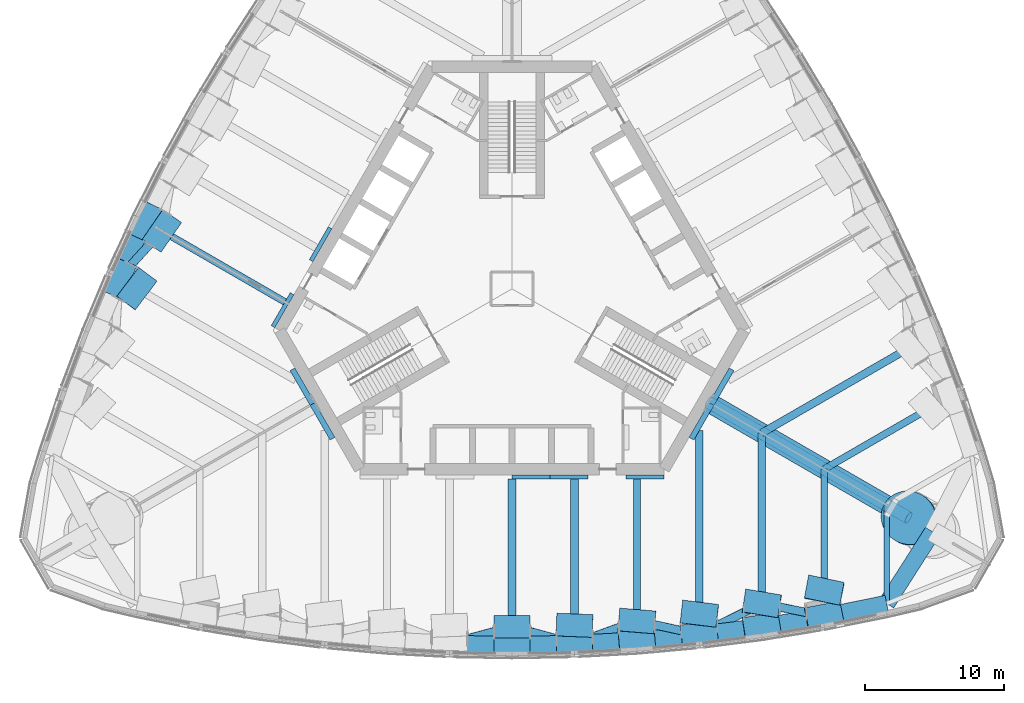
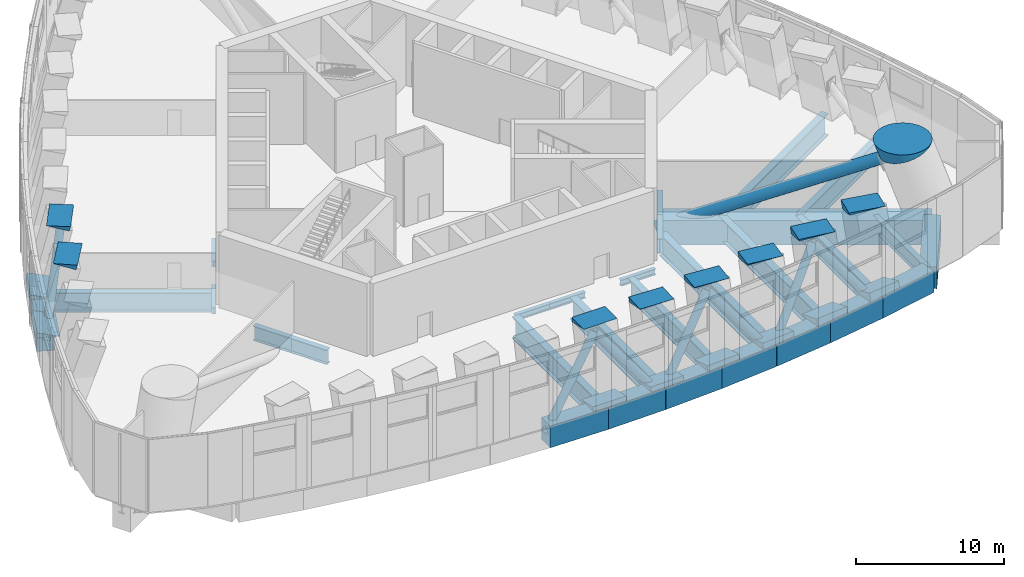
# One storey, part 3 of 25: 29 beams, 25 members.
"""IFC4 building model written with IfcOpenShell, lengths in metres."""

from ifc_helpers import new_model, si_unit, direction, frame, origin, origin_2d, place, context, subcontext, project, spatial, rectangle, circle, hollow_circle, i_section, extrude, clip, halfspace, material, material_profile, profile_set, type_object, element, save


model = new_model("IFC4")

# Units and contexts
model_context = context("Model", 3, precision=1e-05, world=origin(), true_north=direction((0.0, 1.0)))
body_context = subcontext(model_context, "Body", "Model", "MODEL_VIEW")
ifc_project = project(units=[si_unit("LENGTHUNIT", "METRE"), si_unit("AREAUNIT", "SQUARE_METRE"), si_unit("VOLUMEUNIT", "CUBIC_METRE"), si_unit("PLANEANGLEUNIT", "RADIAN"), si_unit("MASSUNIT", "GRAM", prefix="KILO")], contexts=[model_context])

# Site, building, storey
site_placement = place(None, origin())
site = spatial("IfcSite", under=ifc_project, at=site_placement, CompositionType="ELEMENT")
building_placement = place(site_placement, origin())
building = spatial("IfcBuilding", under=site, at=building_placement, Name="Trefoil Bronze Tower", CompositionType="ELEMENT")
storey_placement = place(building_placement, frame((0.0, 0.0, 178.699951171875)))
storey = spatial("IfcBuildingStorey", under=building, at=storey_placement, Name="L41", CompositionType="ELEMENT", Elevation=178.699951171875)

# Members
ifc_material_1 = material(Name="Steel C355", Category="steel")
ifc_material_profile_1 = material_profile(ifc_material_1, hollow_circle(Radius=0.304931640625, WallThickness=0.02490234375, at=origin_2d()), Name="CHS 610x25")
ifc_profile_set_1 = profile_set([ifc_material_profile_1], Name="Steel C355")
member_type_1 = type_object("IfcMemberType", Name="Belt truss diagonal CHS 610x25", PredefinedType="BRACE", material=ifc_profile_set_1)
for number, where, z_axis, x_axis, name in (
    (1, (-4.5, -25.568115234375, -1.14990234375), (0.589177521393, 0.159409087412, 0.792122838413), (-0.261171509531, 0.965292413007, 0.0), "Belt truss diagonal F1.5 L41"),
    (2, (4.5, -25.568115234375, -1.14990234375), (-0.589177521393, 0.159409087412, 0.792122838413), (-0.261171509531, -0.965292413007, 0.0), "Belt truss diagonal F1.6 L41"),
):
    element("IfcMember", number, at=place(storey_placement, frame(where, z_axis=z_axis, x_axis=x_axis)), inside=storey, type_object=member_type_1, Name=name, PredefinedType="BRACE", context=body_context, shape_type="SweptSolid", body=[
        extrude(hollow_circle(Radius=0.304931640625, WallThickness=0.02490234375, at=origin_2d()), origin(), (0.0, 0.0, 1.0), 7.6376953125),
    ])
member_1_placement = place(storey_placement, frame((4.5, -25.568115234375, -1.14990234375), z_axis=(0.583250315892, 0.21194719053, 0.784153975593), x_axis=(-0.341538346209, 0.939867840746, 0.0)))
element("IfcMember", 3, at=member_1_placement, inside=storey, type_object=member_type_1, Name="Belt truss diagonal F1.7 L41", PredefinedType="BRACE", context=body_context, shape_type="SweptSolid", body=[
    extrude(hollow_circle(Radius=0.304931640625, WallThickness=0.02490234375, at=origin_2d()), origin(), (0.0, 0.0, 1.0), 7.71533203125),
])
member_2_placement = place(storey_placement, frame((13.5, -24.9130859375, -1.14990234375), z_axis=(-0.59182902919, 0.128916750879, 0.795687672112), x_axis=(-0.212836772588, -0.977087768951, 0.0)))
element("IfcMember", 4, at=member_2_placement, inside=storey, type_object=member_type_1, Name="Belt truss diagonal F1.8 L41", PredefinedType="BRACE", context=body_context, shape_type="SweptSolid", body=[
    extrude(hollow_circle(Radius=0.304931640625, WallThickness=0.02490234375, at=origin_2d()), origin(), (0.0, 0.0, 1.0), 7.603515625),
])
member_3_placement = place(storey_placement, frame((13.5, -24.9130859375, -1.14990234375), z_axis=(0.572011652507, 0.285261019414, 0.769044095094), x_axis=(-0.446281172623, 0.894892795234, 0.0)))
element("IfcMember", 5, at=member_3_placement, inside=storey, type_object=member_type_1, Name="Belt truss diagonal F1.9 L41", PredefinedType="BRACE", context=body_context, shape_type="SweptSolid", body=[
    extrude(hollow_circle(Radius=0.304931640625, WallThickness=0.02490234375, at=origin_2d()), origin(), (0.0, 0.0, 1.0), 7.866943359375),
])
member_4_placement = place(storey_placement, frame((22.5, -23.592529296875, -1.14990234375), z_axis=(-0.592381733858, 0.121580951562, 0.796430758829), x_axis=(-0.20105006505, -0.979580967222, 0.0)))
element("IfcMember", 6, at=member_4_placement, inside=storey, type_object=member_type_1, Name="Belt truss diagonal F1.10 L41", PredefinedType="BRACE", context=body_context, shape_type="SweptSolid", body=[
    extrude(hollow_circle(Radius=0.304931640625, WallThickness=0.02490234375, at=origin_2d()), origin(), (0.0, 0.0, 1.0), 7.596435546875),
])
member_5_placement = place(storey_placement, frame((-28.325439453125, 0.76513671875, -1.14990234375), z_axis=(0.407551839369, 0.448104740426, 0.795678100638), x_axis=(-0.739788944049, 0.672838998768, 0.0)))
element("IfcMember", 7, at=member_5_placement, inside=storey, type_object=member_type_1, Name="Belt truss diagonal F3.8 L41", PredefinedType="BRACE", context=body_context, shape_type="SweptSolid", body=[
    extrude(hollow_circle(Radius=0.304931640625, WallThickness=0.02490234375, at=origin_2d()), origin(), (0.0, 0.0, 1.0), 7.603759765625),
])
ifc_material_2 = material(Name="Concrete B80", Category="concrete")
ifc_material_profile_2 = material_profile(ifc_material_2, rectangle(XDim=2.60009765625, YDim=1.60009765625, at=origin_2d()), Name="RC 2600x1600")
ifc_profile_set_2 = profile_set([ifc_material_profile_2], Name="Concrete B80")
member_type_2 = type_object("IfcMemberType", Name="Column node RC 2600x1600", PredefinedType="MEMBER", material=ifc_profile_set_2)
member_6_placement = place(storey_placement, frame((0.0, -25.6865234375, -0.170166015625), z_axis=(0.0, 0.211586043708, 0.977359374083), x_axis=(1.0, 0.0, 0.0)))
element("IfcMember", 8, at=member_6_placement, inside=storey, type_object=member_type_2, Name="Column node TC2616 L41 bottom", PredefinedType="MEMBER", context=body_context, shape_type="Clipping", body=[
    clip(extrude(rectangle(XDim=2.60009765625, YDim=1.60009765625, at=origin_2d()), origin(), (0.0, 0.0, 1.0), 0.348388671875), halfspace(frame((0.0, 0.0, 0.174072265625), z_axis=(2.591181711716054e-17, -0.2115860437082868, 0.9773593740829803), x_axis=(0.0, 0.9773593740829803, 0.2115860437082868)), True)),
])
member_7_placement = place(storey_placement, frame((0.0, -24.313720703125, 6.17041015625), z_axis=(0.0, -0.211586043708, -0.977359374083), x_axis=(-1.0, 0.0, 0.0)))
element("IfcMember", 9, at=member_7_placement, inside=storey, type_object=member_type_2, Name="Column node TC2616 L41 top", PredefinedType="MEMBER", context=body_context, shape_type="Clipping", body=[
    clip(extrude(rectangle(XDim=2.60009765625, YDim=1.60009765625, at=origin_2d()), origin(), (0.0, 0.0, 1.0), 0.348388671875), halfspace(frame((0.0, 0.0, 0.17431640625), z_axis=(-2.591181711716054e-17, 0.2115860437082868, 0.9773593740829803), x_axis=(0.0, 0.9773593740829803, -0.2115860437082868)), True)),
])
member_8_placement = place(storey_placement, frame((4.5, -25.608642578125, -0.18408203125), z_axis=(0.0, 0.215010033672, 0.976611839689), x_axis=(0.999197926162, 0.039107230105, -0.008609814585)))
element("IfcMember", 10, at=member_8_placement, inside=storey, type_object=member_type_2, Name="Column node TC2616 L41 bottom", PredefinedType="MEMBER", context=body_context, shape_type="Clipping", body=[
    clip(extrude(rectangle(XDim=2.60009765625, YDim=1.60009765625, at=origin_2d()), origin(), (0.0, 0.0, 1.0), 0.376953125), halfspace(frame((0.0, 0.0, 0.1884765625), z_axis=(-0.008609814585411333, -0.2148375797486362, 0.976611839688908), x_axis=(0.0, 0.9766480392857128, 0.21484554302887648)), True)),
])
member_9_placement = place(storey_placement, frame((4.5, -24.205810546875, 6.18408203125), z_axis=(0.0, -0.215010033672, -0.976611839689), x_axis=(-0.999197926162, 0.039107230105, -0.008609814585)))
element("IfcMember", 11, at=member_9_placement, inside=storey, type_object=member_type_2, Name="Column node TC2616 L41 top", PredefinedType="MEMBER", context=body_context, shape_type="Clipping", body=[
    clip(extrude(rectangle(XDim=2.60009765625, YDim=1.60009765625, at=origin_2d()), origin(), (0.0, 0.0, 1.0), 0.376953125), halfspace(frame((0.0, 0.0, 0.1884765625), z_axis=(0.008609814585411333, 0.2148375797486362, 0.976611839688908), x_axis=(0.0, 0.9766480392857128, -0.21484554302887648)), True)),
])
member_10_placement = place(storey_placement, frame((9.0, -25.3701171875, -0.204345703125), z_axis=(0.0, 0.225794437471, 0.974174969914), x_axis=(0.996802417322, 0.077842254372, -0.018042290739)))
element("IfcMember", 12, at=member_10_placement, inside=storey, type_object=member_type_2, Name="Column node TC2616 L41 bottom", PredefinedType="MEMBER", context=body_context, shape_type="Clipping", body=[
    clip(extrude(rectangle(XDim=2.60009765625, YDim=1.60009765625, at=origin_2d()), origin(), (0.0, 0.0, 1.0), 0.41943359375), halfspace(frame((0.0, 0.0, 0.209716796875), z_axis=(-0.01804229073864446, -0.22507244108909455, 0.9741749699140798), x_axis=(0.0, 0.9743335674263411, 0.225109083304649)), True)),
])
member_11_placement = place(storey_placement, frame((9.0, -23.8857421875, 6.204345703125), z_axis=(0.0, -0.225242053608, -0.974302836538), x_axis=(-0.996802417322, 0.07785247166, -0.017998152051)))
element("IfcMember", 13, at=member_11_placement, inside=storey, type_object=member_type_2, Name="Column node TC2616 L41 top", PredefinedType="MEMBER", context=body_context, shape_type="Clipping", body=[
    clip(extrude(rectangle(XDim=2.60009765625, YDim=1.60009765625, at=origin_2d()), origin(), (0.0, 0.0, 1.0), 0.41943359375), halfspace(frame((0.0, 0.0, 0.209716796875), z_axis=(0.017998152050533768, 0.22452182351932745, 0.974302836538169), x_axis=(0.0, 0.974460679540038, -0.2245581974241139)), True)),
])
member_12_placement = place(storey_placement, frame((13.5, -24.97119140625, -0.23193359375), z_axis=(0.0, 0.243016101667, 0.970022254554), x_axis=(0.99284889025, 0.115799212068, -0.029010749971)))
element("IfcMember", 14, at=member_12_placement, inside=storey, type_object=member_type_2, Name="Column node TC2616 L41 bottom", PredefinedType="MEMBER", context=body_context, shape_type="Clipping", body=[
    clip(extrude(rectangle(XDim=2.60009765625, YDim=1.60009765625, at=origin_2d()), origin(), (0.0, 0.0, 1.0), 0.478271484375), halfspace(frame((0.0, 0.0, 0.2392578125), z_axis=(-0.029010749970759156, -0.24127826685321133, 0.9700222545542162), x_axis=(0.0, 0.9704307092138256, 0.24137986373090767)), True)),
])
member_13_placement = place(storey_placement, frame((13.5, -23.35009765625, 6.23193359375), z_axis=(0.0, -0.243496399495, -0.969901800923), x_axis=(-0.99284889025, 0.115784832568, -0.029068086913)))
element("IfcMember", 15, at=member_13_placement, inside=storey, type_object=member_type_2, Name="Column node TC2616 L41 top", PredefinedType="MEMBER", context=body_context, shape_type="Clipping", body=[
    clip(extrude(rectangle(XDim=2.60009765625, YDim=1.60009765625, at=origin_2d()), origin(), (0.0, 0.0, 1.0), 0.478271484375), halfspace(frame((0.0, 0.0, 0.239013671875), z_axis=(0.029068086913004887, 0.24175513001826762, 0.9699018009226854), x_axis=(0.0, 0.9703118218238935, -0.24185733073197646)), True)),
])
member_14_placement = place(storey_placement, frame((18.0, -24.41162109375, -0.267578125), z_axis=(0.0, 0.268097190299, 0.963391870712), x_axis=(0.987407007975, 0.152409082956, -0.042413111589)))
element("IfcMember", 16, at=member_14_placement, inside=storey, type_object=member_type_2, Name="Column node TC2616 L41 bottom", PredefinedType="MEMBER", context=body_context, shape_type="Clipping", body=[
    clip(extrude(rectangle(XDim=2.60009765625, YDim=1.60009765625, at=origin_2d()), origin(), (0.0, 0.0, 1.0), 0.555419921875), halfspace(frame((0.0, 0.0, 0.27783203125), z_axis=(-0.04241311158895072, -0.26472104451913364, 0.963391870712039), x_axis=(0.0, 0.9642595508691791, 0.26495946587651636)), True)),
])
member_15_placement = place(storey_placement, frame((18.0, -22.5947265625, 6.267578125), z_axis=(0.0, -0.267689204442, -0.963505313854), x_axis=(-0.987407007975, 0.152427029718, -0.042348568019)))
element("IfcMember", 17, at=member_15_placement, inside=storey, type_object=member_type_2, Name="Column node TC2616 L41 top", PredefinedType="MEMBER", context=body_context, shape_type="Clipping", body=[
    clip(extrude(rectangle(XDim=2.60009765625, YDim=1.60009765625, at=origin_2d()), origin(), (0.0, 0.0, 1.0), 0.555419921875), halfspace(frame((0.0, 0.0, 0.277587890625), z_axis=(0.04234856801938169, 0.2643181964253909, 0.9635053138541253), x_axis=(0.0, 0.9643704534844768, -0.26455552998594584)), True)),
])
member_16_placement = place(storey_placement, frame((22.5, -23.6904296875, -0.3115234375), z_axis=(0.0, 0.299466874976, 0.954106697803), x_axis=(0.980854125041, 0.185806456414, -0.058319346233)))
element("IfcMember", 18, at=member_16_placement, inside=storey, type_object=member_type_2, Name="Column node TC2616 L41 bottom", PredefinedType="MEMBER", context=body_context, shape_type="Clipping", body=[
    clip(extrude(rectangle(XDim=2.60009765625, YDim=1.60009765625, at=origin_2d()), origin(), (0.0, 0.0, 1.0), 0.653076171875), halfspace(frame((0.0, 0.0, 0.32666015625), z_axis=(-0.05831934623347565, -0.2937333196337488, 0.9541066978026294), x_axis=(0.0, 0.9557333765684847, 0.2942341124224095)), True)),
])
member_17_placement = place(storey_placement, frame((22.5, -21.61279296875, 6.3115234375), z_axis=(0.0, -0.299466874976, -0.954106697803), x_axis=(-0.980854125041, 0.185806456414, -0.058319346233)))
element("IfcMember", 19, at=member_17_placement, inside=storey, type_object=member_type_2, Name="Column node TC2616 L41 top", PredefinedType="MEMBER", context=body_context, shape_type="Clipping", body=[
    clip(extrude(rectangle(XDim=2.60009765625, YDim=1.60009765625, at=origin_2d()), origin(), (0.0, 0.0, 1.0), 0.653076171875), halfspace(frame((0.0, 0.0, 0.326416015625), z_axis=(0.05831934623347565, 0.2937333196337488, 0.9541066978026294), x_axis=(0.0, 0.9557333765684847, -0.2942341124224095)), True)),
])
member_18_placement = place(storey_placement, frame((-26.47119140625, 4.890869140625, -0.204345703125), z_axis=(0.195533724611, -0.112897448138, 0.974176949401), x_axis=(-0.431008462777, -0.902167504061, -0.0180416083)))
element("IfcMember", 20, at=member_18_placement, inside=storey, type_object=member_type_2, Name="Column node TC2616 L41 bottom", PredefinedType="MEMBER", context=body_context, shape_type="Clipping", body=[
    clip(extrude(rectangle(XDim=2.60009765625, YDim=1.60009765625, at=origin_2d()), origin(), (0.0, 0.0, 1.0), 0.41943359375), halfspace(frame((0.0, 0.0, 0.209716796875), z_axis=(-0.018041608300351265, -0.22506392786564816, 0.9741769494006841), x_axis=(0.0, 0.9743355352347802, 0.22510056592277677)), True)),
])
member_19_placement = place(storey_placement, frame((-25.185546875, 4.148681640625, 6.204345703125), z_axis=(-0.195533724611, 0.112897448138, -0.974176949401), x_axis=(0.565833684937, 0.824321988886, -0.0180416083)))
element("IfcMember", 21, at=member_19_placement, inside=storey, type_object=member_type_2, Name="Column node TC2616 L41 top", PredefinedType="MEMBER", context=body_context, shape_type="Clipping", body=[
    clip(extrude(rectangle(XDim=2.60009765625, YDim=1.60009765625, at=origin_2d()), origin(), (0.0, 0.0, 1.0), 0.41943359375), halfspace(frame((0.0, 0.0, 0.209716796875), z_axis=(0.018041608300351265, 0.22506392786564816, 0.9741769494006841), x_axis=(0.0, 0.9743355352347802, -0.22510056592277677)), True)),
])
member_20_placement = place(storey_placement, frame((-28.375732421875, 0.794189453125, -0.23193359375), z_axis=(0.210834703777, -0.121497964888, 0.969941736503), x_axis=(-0.395404505556, -0.918047617133, -0.02904909057)))
element("IfcMember", 22, at=member_20_placement, inside=storey, type_object=member_type_2, Name="Column node TC2616 L41 bottom", PredefinedType="MEMBER", context=body_context, shape_type="Clipping", body=[
    clip(extrude(rectangle(XDim=2.60009765625, YDim=1.60009765625, at=origin_2d()), origin(), (0.0, 0.0, 1.0), 0.478271484375), halfspace(frame((0.0, 0.0, 0.2392578125), z_axis=(-0.029049090569892723, -0.2415971401439186, 0.9699417365034572), x_axis=(0.0, 0.9703512381937962, 0.2416991405358459)), True)),
])
member_21_placement = place(storey_placement, frame((-26.971923828125, -0.016357421875, 6.23193359375), z_axis=(-0.210333746012, 0.122013993439, -0.969985721902), x_axis=(0.598354575342, 0.800705419319, -0.029028152539)))
element("IfcMember", 23, at=member_21_placement, inside=storey, type_object=member_type_2, Name="Column node TC2616 L41 top", PredefinedType="MEMBER", context=body_context, shape_type="Clipping", body=[
    clip(extrude(rectangle(XDim=2.60009765625, YDim=1.60009765625, at=origin_2d()), origin(), (0.0, 0.0, 1.0), 0.478271484375), halfspace(frame((0.0, 0.0, 0.239013671875), z_axis=(0.029028152538825135, 0.24142300152797802, 0.9699857219018251), x_axis=(0.0, 0.9703946516531617, -0.24152478142612768)), True)),
])
ifc_material_3 = material(Name="Concrete B80", Category="concrete")
ifc_material_profile_3 = material_profile(ifc_material_3, circle(Radius=1.89990234375, at=origin_2d()), Name="RC D3800")
ifc_profile_set_3 = profile_set([ifc_material_profile_3], Name="Concrete B80")
member_type_3 = type_object("IfcMemberType", Name="Column node RC D3800", PredefinedType="MEMBER", material=ifc_profile_set_3)
member_22_placement = place(storey_placement, frame((28.405029296875, -16.399658203125, 6.601806640625), z_axis=(0.273828523249, -0.158177825798, -0.948682093897), x_axis=(0.500196490846, 0.865911930017, 0.0)))
element("IfcMember", 24, at=member_22_placement, inside=storey, type_object=member_type_3, Name="Column node MC38 L41 top", PredefinedType="MEMBER", context=body_context, shape_type="Clipping", body=[
    clip(extrude(circle(Radius=1.89990234375, at=origin_2d()), origin(), (0.0, 0.0, 1.0), 1.268798828125), halfspace(frame((0.0, 0.0, 0.63427734375), z_axis=(0.0, -0.31623137845362453, 0.9486820938972763), x_axis=(0.0, 0.9486820938972763, 0.31623137845362453)), True)),
])

# Beams
ifc_material_4 = material(Name="Steel C355", Category="steel")
ifc_material_profile_4 = material_profile(ifc_material_4, i_section(OverallWidth=0.300048828125, OverallDepth=0.5, WebThickness=0.014404296875, FlangeThickness=0.028076171875, FilletRadius=0.027099609375, at=origin_2d()), Name="HEB 500")
ifc_profile_set_4 = profile_set([ifc_material_profile_4], Name="Steel C355")
beam_type_1 = type_object("IfcBeamType", Name="Core seat beam HEB 500", PredefinedType="BEAM", material=ifc_profile_set_4)
for number, where, z_axis, x_axis, name in (
    (25, (0.0, -13.550048828125, -0.5), (1.0, 0.0, 0.0), (0.0, 1.0, 0.0), "Core seat beam F1/+0 L41"),
    (26, (2.742431640625, -13.550048828125, -0.5), (1.0, 0.0, 0.0), (0.0, 1.0, 0.0), "Core seat beam F1/+1 L41"),
    (27, (8.227294921875, -13.550048828125, -0.5), (1.0, 0.0, 0.0), (0.0, 1.0, 0.0), "Core seat beam F1/+2 L41"),
    (28, (-13.10595703125, 4.39990234375, -0.5), (-0.499969057507, -0.866043267704, 0.0), (0.866043267704, -0.499969057507, 0.0), "Core seat beam F3/+1 L41"),
    (29, (-15.84814453125, -0.35009765625, -0.5), (-0.500035825175, -0.866004719122, 0.0), (0.866004719122, -0.500035825175, 0.0), "Core seat beam F3/+2 L41"),
):
    element("IfcBeam", number, at=place(storey_placement, frame(where, z_axis=z_axis, x_axis=x_axis)), inside=storey, type_object=beam_type_1, Name=name, PredefinedType="BEAM", context=body_context, shape_type="SweptSolid", body=[
        extrude(i_section(OverallWidth=0.300048828125, OverallDepth=0.5, WebThickness=0.014404296875, FlangeThickness=0.028076171875, FilletRadius=0.027099609375, at=origin_2d()), origin(), (0.0, 0.0, 1.0), 2.742431640625),
    ])
ifc_material_5 = material(Name="Steel C355", Category="steel")
ifc_material_profile_5 = material_profile(ifc_material_5, i_section(OverallWidth=0.39990234375, OverallDepth=1.199951171875, WebThickness=0.02001953125, FlangeThickness=0.0400390625, FilletRadius=0.010009765625, at=origin_2d()), Name="WPG 1200")
ifc_profile_set_5 = profile_set([ifc_material_profile_5], Name="Steel C355")
beam_type_2 = type_object("IfcBeamType", Name="Core seat beam WPG 1200", PredefinedType="BEAM", material=ifc_profile_set_5)
for number, where, z_axis, x_axis, name in (
    (30, (-14.3759765625, -8.300048828125, -0.849853515625), (0.499995765644, -0.866027848477, 0.0), (0.866027848477, 0.499995765644, 0.0), "Core seat beam F1/-3 L41"),
    (31, (12.9326171875, -10.800048828125, -0.849853515625), (0.499995765644, 0.866027848477, 0.0), (-0.866027848477, 0.499995765644, 0.0), "Core seat beam F1/+3 L41"),
    (32, (14.3759765625, -8.300048828125, -0.849853515625), (0.499995765644, 0.866027848477, 0.0), (-0.866027848477, 0.499995765644, 0.0), "Core seat beam F2/-3 L41"),
    (33, (-15.8193359375, -5.800048828125, -0.849853515625), (0.499995765644, -0.866027848477, 0.0), (0.866027848477, 0.499995765644, 0.0), "Core seat beam F3/+3 L41"),
):
    element("IfcBeam", number, at=place(storey_placement, frame(where, z_axis=z_axis, x_axis=x_axis)), inside=storey, type_object=beam_type_2, Name=name, PredefinedType="BEAM", context=body_context, shape_type="SweptSolid", body=[
        extrude(i_section(OverallWidth=0.39990234375, OverallDepth=1.199951171875, WebThickness=0.02001953125, FlangeThickness=0.0400390625, FilletRadius=0.010009765625, at=origin_2d()), origin(), (0.0, 0.0, 1.0), 2.88671875),
    ])
ifc_material_6 = material(Name="Concrete B80", Category="concrete")
ifc_material_profile_6 = material_profile(ifc_material_6, rectangle(XDim=1.39990234375, YDim=2.0, at=origin_2d()), Name="RC 1400x2000")
ifc_profile_set_6 = profile_set([ifc_material_profile_6], Name="Concrete B80")
beam_type_3 = type_object("IfcBeamType", Name="Corner girder RC 1400x2000", PredefinedType="BEAM", material=ifc_profile_set_6)
beam_1_placement = place(storey_placement, frame((14.202880859375, -8.199951171875, -1.25), z_axis=(0.866022084834, -0.500005748546, 0.0), x_axis=(0.500005748546, 0.866022084834, 0.0)))
element("IfcBeam", 34, at=beam_1_placement, inside=storey, type_object=beam_type_3, Name="Corner girder K1 L41", PredefinedType="BEAM", context=body_context, shape_type="SweptSolid", body=[
    extrude(rectangle(XDim=1.39990234375, YDim=2.0, at=origin_2d()), origin(), (0.0, 0.0, 1.0), 18.599853515625),
])
ifc_material_7 = material(Name="Concrete B80", Category="concrete")
ifc_material_profile_7 = material_profile(ifc_material_7, rectangle(XDim=1.199951171875, YDim=1.800048828125, at=origin_2d()), Name="RC 1200x1800")
ifc_profile_set_7 = profile_set([ifc_material_profile_7], Name="Concrete B80")
beam_type_4 = type_object("IfcBeamType", Name="End spandrel beam RC 1200x1800", PredefinedType="SPANDREL", material=ifc_profile_set_7)
beam_2_placement = place(storey_placement, frame((27.0, -22.67724609375, -1.14990234375), z_axis=(0.53874814953, 0.84246687257, 0.0), x_axis=(-0.84246687257, 0.53874814953, 0.0)))
element("IfcBeam", 35, at=beam_2_placement, inside=storey, type_object=beam_type_4, Name="Spandrel F1.14 L41", PredefinedType="SPANDREL", context=body_context, shape_type="SweptSolid", body=[
    extrude(rectangle(XDim=1.199951171875, YDim=1.800048828125, at=origin_2d()), origin(), (0.0, 0.0, 1.0), 6.145263671875),
])
ifc_material_8 = material(Name="Steel C355", Category="steel")
ifc_material_profile_8 = material_profile(ifc_material_8, i_section(OverallWidth=0.39990234375, OverallDepth=1.199951171875, WebThickness=0.02001953125, FlangeThickness=0.0400390625, FilletRadius=0.010009765625, at=origin_2d()), Name="WPG 1200")
ifc_profile_set_8 = profile_set([ifc_material_profile_8], Name="Steel C355")
beam_type_5 = type_object("IfcBeamType", Name="Floor beam WPG 1200", PredefinedType="BEAM", material=ifc_profile_set_8)
beam_3_placement = place(storey_placement, frame((27.0, -22.67724609375, -0.849853515625), z_axis=(0.0, 1.0, 0.0), x_axis=(-1.0, 0.0, 0.0)))
element("IfcBeam", 36, at=beam_3_placement, inside=storey, type_object=beam_type_5, Name="Floor beam F1/+6 L41", PredefinedType="BEAM", context=body_context, shape_type="SweptSolid", body=[
    extrude(i_section(OverallWidth=0.39990234375, OverallDepth=1.199951171875, WebThickness=0.02001953125, FlangeThickness=0.0400390625, FilletRadius=0.010009765625, at=origin_2d()), origin(), (0.0, 0.0, 1.0), 7.0888671875),
])
ifc_material_9 = material(Name="Steel C355", Category="steel")
ifc_material_profile_9 = material_profile(ifc_material_9, i_section(OverallWidth=0.5, OverallDepth=1.60009765625, WebThickness=0.02587890625, FlangeThickness=0.050048828125, FilletRadius=0.011962890625, at=origin_2d()), Name="WPG 1600")
ifc_profile_set_9 = profile_set([ifc_material_profile_9], Name="Steel C355")
beam_type_6 = type_object("IfcBeamType", Name="Floor beam WPG 1600", PredefinedType="BEAM", material=ifc_profile_set_9)
beam_4_placement = place(storey_placement, frame((9.0, -25.32275390625, -1.050048828125), z_axis=(0.0, 1.0, 0.0), x_axis=(-1.0, 0.0, 0.0)))
element("IfcBeam", 37, at=beam_4_placement, inside=storey, type_object=beam_type_6, Name="Floor beam F1/+2 L41", PredefinedType="BEAM", context=body_context, shape_type="SweptSolid", body=[
    extrude(i_section(OverallWidth=0.5, OverallDepth=1.60009765625, WebThickness=0.02587890625, FlangeThickness=0.050048828125, FilletRadius=0.011962890625, at=origin_2d()), origin(), (0.0, 0.0, 1.0), 11.622802734375),
])
beam_5_placement = place(storey_placement, frame((22.5, -23.592529296875, -1.050048828125), z_axis=(0.0, 1.0, 0.0), x_axis=(-1.0, 0.0, 0.0)))
element("IfcBeam", 38, at=beam_5_placement, inside=storey, type_object=beam_type_6, Name="Floor beam F1/+5 L41", PredefinedType="BEAM", context=body_context, shape_type="SweptSolid", body=[
    extrude(i_section(OverallWidth=0.5, OverallDepth=1.60009765625, WebThickness=0.02587890625, FlangeThickness=0.050048828125, FilletRadius=0.011962890625, at=origin_2d()), origin(), (0.0, 0.0, 1.0), 10.60205078125),
])
beam_6_placement = place(storey_placement, frame((31.681884765625, -7.689208984375, -1.050048828125), z_axis=(-0.866021079084, -0.500007490527, 0.0), x_axis=(0.500007490527, -0.866021079084, 0.0)))
element("IfcBeam", 39, at=beam_6_placement, inside=storey, type_object=beam_type_6, Name="Floor beam F2/-5 L41", PredefinedType="BEAM", context=body_context, shape_type="SweptSolid", body=[
    extrude(i_section(OverallWidth=0.5, OverallDepth=1.60009765625, WebThickness=0.02587890625, FlangeThickness=0.050048828125, FilletRadius=0.011962890625, at=origin_2d()), origin(), (0.0, 0.0, 1.0), 10.602294921875),
])
beam_7_placement = place(storey_placement, frame((-26.43017578125, 4.8671875, -1.050048828125), z_axis=(0.866021531335, -0.500006707218, 0.0), x_axis=(0.500006707218, 0.866021531335, 0.0)))
element("IfcBeam", 40, at=beam_7_placement, inside=storey, type_object=beam_type_6, Name="Floor beam F3/+2 L41", PredefinedType="BEAM", context=body_context, shape_type="SweptSolid", body=[
    extrude(i_section(OverallWidth=0.5, OverallDepth=1.60009765625, WebThickness=0.02587890625, FlangeThickness=0.050048828125, FilletRadius=0.011962890625, at=origin_2d()), origin(), (0.0, 0.0, 1.0), 11.622802734375),
])
ifc_material_10 = material(Name="Steel C355", Category="steel")
ifc_material_profile_10 = material_profile(ifc_material_10, i_section(OverallWidth=0.550048828125, OverallDepth=1.800048828125, WebThickness=0.029052734375, FlangeThickness=0.054931640625, FilletRadius=0.013916015625, at=origin_2d()), Name="WPG 1800")
ifc_profile_set_10 = profile_set([ifc_material_profile_10], Name="Steel C355")
beam_type_7 = type_object("IfcBeamType", Name="Floor beam WPG 1800", PredefinedType="BEAM", material=ifc_profile_set_10)
beam_8_placement = place(storey_placement, frame((0.0, -25.649658203125, -1.14990234375), z_axis=(0.0, 1.0, 0.0), x_axis=(-1.0, 0.0, 0.0)))
element("IfcBeam", 41, at=beam_8_placement, inside=storey, type_object=beam_type_7, Name="Floor beam F1/+0 L41", PredefinedType="BEAM", context=body_context, shape_type="SweptSolid", body=[
    extrude(i_section(OverallWidth=0.550048828125, OverallDepth=1.800048828125, WebThickness=0.029052734375, FlangeThickness=0.054931640625, FilletRadius=0.013916015625, at=origin_2d()), origin(), (0.0, 0.0, 1.0), 11.94970703125),
])
beam_9_placement = place(storey_placement, frame((4.5, -25.568115234375, -1.14990234375), z_axis=(0.0, 1.0, 0.0), x_axis=(-1.0, 0.0, 0.0)))
element("IfcBeam", 42, at=beam_9_placement, inside=storey, type_object=beam_type_7, Name="Floor beam F1/+1 L41", PredefinedType="BEAM", context=body_context, shape_type="SweptSolid", body=[
    extrude(i_section(OverallWidth=0.550048828125, OverallDepth=1.800048828125, WebThickness=0.029052734375, FlangeThickness=0.054931640625, FilletRadius=0.013916015625, at=origin_2d()), origin(), (0.0, 0.0, 1.0), 11.8681640625),
])
beam_10_placement = place(storey_placement, frame((13.5, -24.9130859375, -1.14990234375), z_axis=(0.0, 1.0, 0.0), x_axis=(-1.0, 0.0, 0.0)))
element("IfcBeam", 43, at=beam_10_placement, inside=storey, type_object=beam_type_7, Name="Floor beam F1/+3 L41", PredefinedType="BEAM", context=body_context, shape_type="SweptSolid", body=[
    extrude(i_section(OverallWidth=0.550048828125, OverallDepth=1.800048828125, WebThickness=0.029052734375, FlangeThickness=0.054931640625, FilletRadius=0.013916015625, at=origin_2d()), origin(), (0.0, 0.0, 1.0), 14.69580078125),
])
for number, where, z_axis, x_axis, name in (
    (44, (18.0, -24.337158203125, -1.14990234375), (0.0, 1.0, 0.0), (-1.0, 0.0, 0.0), "Floor beam F1/+4 L41"),
    (45, (30.07666015625, -3.419921875, -1.14990234375), (-0.866026983775, -0.499997263366, 0.0), (0.499997263366, -0.866026983775, 0.0), "Floor beam F2/-4 L41"),
):
    element("IfcBeam", number, at=place(storey_placement, frame(where, z_axis=z_axis, x_axis=x_axis)), inside=storey, type_object=beam_type_7, Name=name, PredefinedType="BEAM", context=body_context, shape_type="SweptSolid", body=[
        extrude(i_section(OverallWidth=0.550048828125, OverallDepth=1.800048828125, WebThickness=0.029052734375, FlangeThickness=0.054931640625, FilletRadius=0.013916015625, at=origin_2d()), origin(), (0.0, 0.0, 1.0), 13.94482421875),
    ])

# Member
ifc_material_11 = material(Name="Steel C355", Category="steel")
ifc_material_profile_11 = material_profile(ifc_material_11, hollow_circle(Radius=0.45703125, WallThickness=0.031982421875, at=origin_2d()), Name="CHS 914x32")
ifc_profile_set_11 = profile_set([ifc_material_profile_11], Name="Steel C355")
member_type_4 = type_object("IfcMemberType", Name="Outrigger brace CHS 914x32", PredefinedType="BRACE", material=ifc_profile_set_11)
member_23_placement = place(storey_placement, frame((14.159423828125, -8.175048828125, -1.25), z_axis=(0.810787923543, -0.468102289203, 0.35143020627), x_axis=(0.49999492366, 0.866028334591, 0.0)))
element("IfcMember", 46, at=member_23_placement, inside=storey, type_object=member_type_4, Name="Outrigger brace K1 L41", PredefinedType="BRACE", context=body_context, shape_type="SweptSolid", body=[
    extrude(hollow_circle(Radius=0.45703125, WallThickness=0.031982421875, at=origin_2d()), origin(), (0.0, 0.0, 1.0), 17.784423828125),
])

# Beams
ifc_material_12 = material(Name="Concrete B80", Category="concrete")
ifc_material_profile_12 = material_profile(ifc_material_12, rectangle(XDim=1.199951171875, YDim=1.800048828125, at=origin_2d()), Name="RC 1200x1800")
ifc_profile_set_12 = profile_set([ifc_material_profile_12], Name="Concrete B80")
beam_type_8 = type_object("IfcBeamType", Name="Spandrel beam RC 1200x1800", PredefinedType="SPANDREL", material=ifc_profile_set_12)
for number, where, z_axis, x_axis, name in (
    (47, (-4.5, -25.568115234375, -1.14990234375), (0.999835861267, -0.01811768542, 0.0), (0.01811768542, 0.999835861267, 0.0), "Spandrel F1.7 L41"),
    (48, (0.0, -25.649658203125, -1.14990234375), (0.999835861267, 0.01811768542, 0.0), (-0.01811768542, 0.999835861267, 0.0), "Spandrel F1.8 L41"),
):
    element("IfcBeam", number, at=place(storey_placement, frame(where, z_axis=z_axis, x_axis=x_axis)), inside=storey, type_object=beam_type_8, Name=name, PredefinedType="SPANDREL", context=body_context, shape_type="SweptSolid", body=[
        extrude(rectangle(XDim=1.199951171875, YDim=1.800048828125, at=origin_2d()), origin(), (0.0, 0.0, 1.0), 4.500732421875),
    ])
beam_11_placement = place(storey_placement, frame((4.5, -25.568115234375, -1.14990234375), z_axis=(0.998516832602, 0.054443870267, 0.0), x_axis=(-0.054443870267, 0.998516832602, 0.0)))
element("IfcBeam", 49, at=beam_11_placement, inside=storey, type_object=beam_type_8, Name="Spandrel F1.9 L41", PredefinedType="SPANDREL", context=body_context, shape_type="SweptSolid", body=[
    extrude(rectangle(XDim=1.199951171875, YDim=1.800048828125, at=origin_2d()), origin(), (0.0, 0.0, 1.0), 4.506591796875),
])
beam_12_placement = place(storey_placement, frame((9.0, -25.32275390625, -1.14990234375), z_axis=(0.995881683815, 0.090662405894, 0.0), x_axis=(-0.090662405894, 0.995881683815, 0.0)))
element("IfcBeam", 50, at=beam_12_placement, inside=storey, type_object=beam_type_8, Name="Spandrel F1.10 L41", PredefinedType="SPANDREL", context=body_context, shape_type="SweptSolid", body=[
    extrude(rectangle(XDim=1.199951171875, YDim=1.800048828125, at=origin_2d()), origin(), (0.0, 0.0, 1.0), 4.5185546875),
])
beam_13_placement = place(storey_placement, frame((13.5, -24.9130859375, -1.14990234375), z_axis=(0.991909314257, 0.126948463126, 0.0), x_axis=(-0.126948463126, 0.991909314257, 0.0)))
element("IfcBeam", 51, at=beam_13_placement, inside=storey, type_object=beam_type_8, Name="Spandrel F1.11 L41", PredefinedType="SPANDREL", context=body_context, shape_type="SweptSolid", body=[
    extrude(rectangle(XDim=1.199951171875, YDim=1.800048828125, at=origin_2d()), origin(), (0.0, 0.0, 1.0), 4.53662109375),
])
beam_14_placement = place(storey_placement, frame((18.0, -24.337158203125, -1.14990234375), z_axis=(0.986584214684, 0.163253138823, 0.0), x_axis=(-0.163253138823, 0.986584214684, 0.0)))
element("IfcBeam", 52, at=beam_14_placement, inside=storey, type_object=beam_type_8, Name="Spandrel F1.12 L41", PredefinedType="SPANDREL", context=body_context, shape_type="SweptSolid", body=[
    extrude(rectangle(XDim=1.199951171875, YDim=1.800048828125, at=origin_2d()), origin(), (0.0, 0.0, 1.0), 4.561279296875),
])
beam_15_placement = place(storey_placement, frame((22.5, -23.592529296875, -1.14990234375), z_axis=(0.979935430296, 0.199315208777, 0.0), x_axis=(-0.199315208777, 0.979935430296, 0.0)))
element("IfcBeam", 53, at=beam_15_placement, inside=storey, type_object=beam_type_8, Name="Spandrel F1.13 L41", PredefinedType="SPANDREL", context=body_context, shape_type="SweptSolid", body=[
    extrude(rectangle(XDim=1.199951171875, YDim=1.800048828125, at=origin_2d()), origin(), (0.0, 0.0, 1.0), 4.592041015625),
])
beam_16_placement = place(storey_placement, frame((-26.43017578125, 4.8671875, -1.14990234375), z_axis=(-0.419424747755, -0.907790108434, 0.0), x_axis=(0.907790108434, -0.419424747755, 0.0)))
element("IfcBeam", 54, at=beam_16_placement, inside=storey, type_object=beam_type_8, Name="Spandrel F3.10 L41", PredefinedType="SPANDREL", context=body_context, shape_type="SweptSolid", body=[
    extrude(rectangle(XDim=1.199951171875, YDim=1.800048828125, at=origin_2d()), origin(), (0.0, 0.0, 1.0), 4.518798828125),
])

save(model, "model.ifc")
